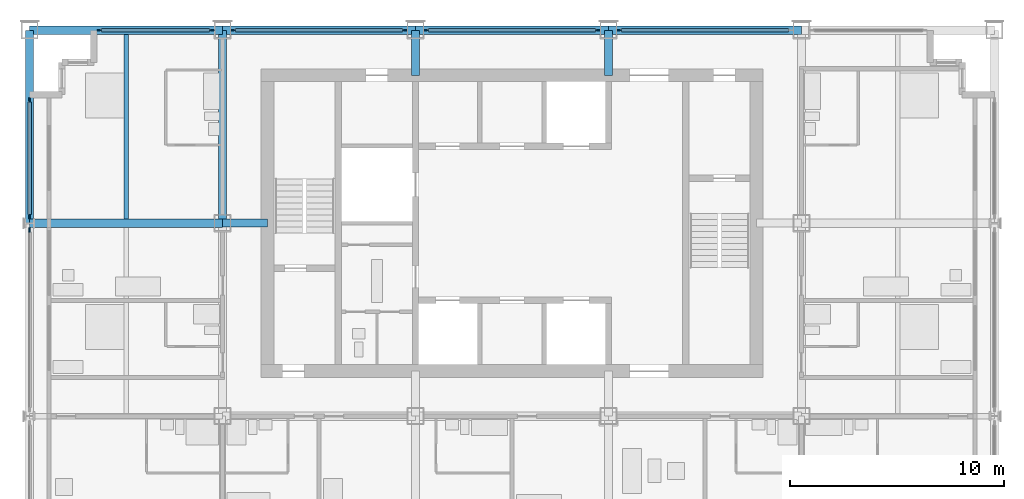
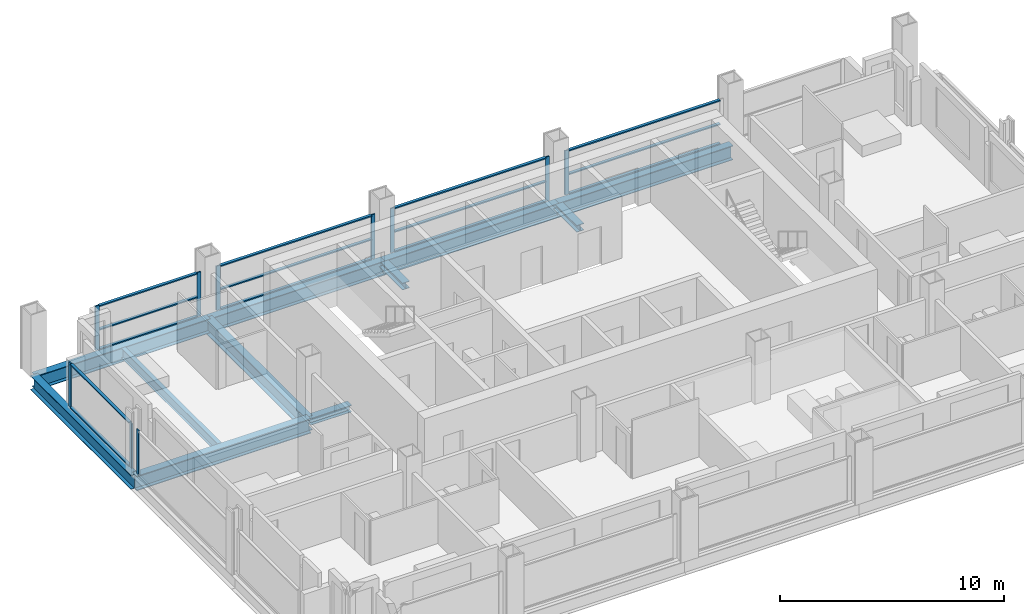
# One storey, part 4 of 13: 27 members, 8 beams, 6 elements without a shape of their own.
"""IFC4 building model written with IfcOpenShell, lengths in metres."""

import ifcopenshell
import ifcopenshell.guid

model = None  # the IFC model being written
_history = None  # IfcOwnerHistory: only IFC2X3 demands one
_inside = {}  # id of a spatial element -> (the spatial element, [elements in it])
_under = {}  # id of a project, library or spatial element -> (it, [spatial elements below it])
_declared = {}  # id of a project -> (the project, [libraries it declares])
_typed = {}  # id of a type object -> (the type object, [elements of that type])
_made_of = {}  # id of a material, layer set ... -> (it, [elements and type objects made of it])


def new_model(schema):
    """Start an empty IFC model of exactly this schema.

    Asked for "IFC4X3", IfcOpenShell would pick the latest addendum, in which some entities
    have other attributes; the version numbers below select the first issue.
    IFC2X3 requires an IfcOwnerHistory on every rooted entity: one is made here for all.
    """
    global model, _history
    if schema == "IFC4X3":
        model = ifcopenshell.file(schema_version=(4, 3, 0, 0))
    else:
        model = ifcopenshell.file(schema=schema)
    _inside.clear()
    _under.clear()
    _declared.clear()
    _typed.clear()
    _made_of.clear()
    _history = None
    if model.schema == "IFC2X3":
        org = make("IfcOrganization", Name="unknown")
        user = make(
            "IfcPersonAndOrganization",
            ThePerson=make("IfcPerson", FamilyName="unknown"),
            TheOrganization=org,
        )
        app = make(
            "IfcApplication",
            ApplicationDeveloper=org,
            Version="unknown",
            ApplicationFullName="unknown",
            ApplicationIdentifier="unknown",
        )
        _history = make(
            "IfcOwnerHistory",
            OwningUser=user,
            OwningApplication=app,
            ChangeAction="ADDED",
            CreationDate=0,
        )
    return model


def make(cls, **values):
    """One entity of the class cls with the attributes given. An attribute that is None is left unset."""
    return model.create_entity(
        cls, **{name: value for name, value in values.items() if value is not None}
    )


def rooted(cls, **values):
    """An entity with a GlobalId (a new one), such as an element, a storey or a relation."""
    return make(cls, GlobalId=ifcopenshell.guid.new(), OwnerHistory=_history, **values)


def si_unit(unit_type, name, prefix=None):
    """IfcSIUnit, for example si_unit("LENGTHUNIT", "METRE", prefix="MILLI")."""
    return make("IfcSIUnit", UnitType=unit_type, Prefix=prefix, Name=name)


def assignment(units):
    """IfcUnitAssignment: the units of a project."""
    return None if units is None else make("IfcUnitAssignment", Units=units)


def point(xyz):
    """IfcCartesianPoint."""
    return None if xyz is None else make("IfcCartesianPoint", Coordinates=xyz)


def direction(xyz):
    """IfcDirection."""
    return None if xyz is None else make("IfcDirection", DirectionRatios=xyz)


def frame(location, z_axis=None, x_axis=None):
    """IfcAxis2Placement3D, a coordinate frame: its origin and axes. An axis left out is left unset."""
    return make(
        "IfcAxis2Placement3D",
        Location=point(location),
        Axis=direction(z_axis),
        RefDirection=direction(x_axis),
    )


def frame_2d(location, x_axis=None):
    """IfcAxis2Placement2D, a coordinate frame in the plane: its origin and x axis."""
    return make(
        "IfcAxis2Placement2D", Location=point(location), RefDirection=direction(x_axis)
    )


def origin():
    """The frame at (0, 0, 0) with its axes left unset."""
    return frame((0.0, 0.0, 0.0))


def origin_2d():
    """The frame at (0, 0) in the plane with its x axis left unset."""
    return frame_2d((0.0, 0.0))


def place(relative_to, where):
    """IfcLocalPlacement: puts the frame where relative to a parent placement (None: the world)."""
    return make(
        "IfcLocalPlacement", PlacementRelTo=relative_to, RelativePlacement=where
    )


def context(
    kind, dimensions, precision=None, world=None, true_north=None, identifier=None
):
    """IfcGeometricRepresentationContext, for example the 3D "Model" context."""
    return make(
        "IfcGeometricRepresentationContext",
        ContextIdentifier=identifier,
        ContextType=kind,
        CoordinateSpaceDimension=dimensions,
        Precision=precision,
        WorldCoordinateSystem=world,
        TrueNorth=true_north,
    )


def subcontext(parent, identifier, kind, view, scale=None):
    """IfcGeometricRepresentationSubContext, for example "Body" below "Model"."""
    return make(
        "IfcGeometricRepresentationSubContext",
        ContextIdentifier=identifier,
        ContextType=kind,
        ParentContext=parent,
        TargetScale=scale,
        TargetView=view,
    )


def project(units=None, contexts=None):
    """IfcProject with its units and contexts."""
    return rooted(
        "IfcProject",
        Name="project",
        RepresentationContexts=contexts,
        UnitsInContext=assignment(units),
    )


def spatial(cls, under=None, at=None, **own):
    """A site, building, storey or space (cls), placed at a placement, below another one or the project."""
    s = rooted(cls, ObjectPlacement=at, **own)
    if under is not None:
        _under.setdefault(under.id(), (under, []))[1].append(s)
    return s


def profile(cls, at=None, kind="AREA", **sizes):
    """A parametric profile (cls). Its sizes go by their IFC names, for example OverallWidth=200.0."""
    return make(cls, ProfileType=kind, Position=at, **sizes)


def rectangle(**sizes):
    """IfcRectangleProfileDef."""
    return profile("IfcRectangleProfileDef", **sizes)


def i_section(**sizes):
    """IfcIShapeProfileDef."""
    return profile("IfcIShapeProfileDef", **sizes)


def extrude(swept, where, along, depth):
    """IfcExtrudedAreaSolid: the profile swept, set in the frame where, extruded along a direction by depth."""
    return make(
        "IfcExtrudedAreaSolid",
        SweptArea=swept,
        Position=where,
        ExtrudedDirection=direction(along),
        Depth=depth,
    )


def shape(context_of_items, identifier, shape_type, items):
    """IfcShapeRepresentation: the items that make up one representation, for example the "Body"."""
    return make(
        "IfcShapeRepresentation",
        ContextOfItems=context_of_items,
        RepresentationIdentifier=identifier,
        RepresentationType=shape_type,
        Items=items,
    )


def material(Name=None, Category=None):
    """IfcMaterial."""
    return make("IfcMaterial", Name=Name, Category=Category)


def material_profile(
    of_material, cross_section, Name=None, Category=None, Priority=None
):
    """IfcMaterialProfile: a cross section and its material."""
    return make(
        "IfcMaterialProfile",
        Name=Name,
        Material=of_material,
        Profile=cross_section,
        Priority=Priority,
        Category=Category,
    )


def profile_set(profiles, Name=None, composite=None):
    """IfcMaterialProfileSet."""
    return make(
        "IfcMaterialProfileSet",
        Name=Name,
        MaterialProfiles=profiles,
        CompositeProfile=composite,
    )


def made_of(thing, what):
    """Note that an element or type object is made of a material, layer set ...; save() writes the relation."""
    if what is not None:
        _made_of.setdefault(what.id(), (what, []))[1].append(thing)
    return thing


def type_object(cls, material=None, **own):
    """A type object (cls), such as IfcWallType, which elements share."""
    return made_of(rooted(cls, **own), material)


def element(
    cls,
    number,
    at=None,
    inside=None,
    cuts=None,
    type_object=None,
    material=None,
    context=None,
    identifier="Body",
    shape_type=None,
    held_by="IfcProductDefinitionShape",
    body=None,
    shapes=None,
    **own,
):
    """One element of the class cls, such as IfcWall. Its Tag is "e" and its number.

    at: its placement. inside: the storey or other place that contains it. cuts: it is an
    opening in that element (IfcRelVoidsElement). A single representation is given by context,
    identifier, shape_type and body (its items); several are given by shapes. held_by: the class
    of the entity that holds the representations. save() writes the other relations.
    """
    e = rooted(cls, Tag="e%d" % number, ObjectPlacement=at, **own)
    if body is not None:
        shapes = [shape(context, identifier, shape_type, body)]
    if shapes is not None:
        e.Representation = make(held_by, Representations=shapes)
    if inside is not None:
        _inside.setdefault(inside.id(), (inside, []))[1].append(e)
    if cuts is not None:
        rooted(
            "IfcRelVoidsElement", RelatingBuildingElement=cuts, RelatedOpeningElement=e
        )
    if type_object is not None:
        _typed.setdefault(type_object.id(), (type_object, []))[1].append(e)
    return made_of(e, material)


def aggregate(whole, parts):
    """IfcRelAggregates: a whole, such as a stair, and the parts it consists of."""
    return rooted("IfcRelAggregates", RelatingObject=whole, RelatedObjects=parts)


def save(model, path):
    """Write the relations noted so far, then the file.

    IfcRelAggregates (storeys below a building ...), IfcRelContainedInSpatialStructure (elements
    in a storey), IfcRelDefinesByType, IfcRelAssociatesMaterial and IfcRelDeclares: one each for
    every whole, place, type object, material and project.
    """
    for whole, parts in _under.values():
        aggregate(whole, parts)
    for where, things in _inside.values():
        rooted(
            "IfcRelContainedInSpatialStructure",
            RelatedElements=things,
            RelatingStructure=where,
        )
    for kind, things in _typed.values():
        rooted("IfcRelDefinesByType", RelatedObjects=things, RelatingType=kind)
    for what, things in _made_of.values():
        rooted("IfcRelAssociatesMaterial", RelatedObjects=things, RelatingMaterial=what)
    for by, libraries in _declared.values():
        rooted("IfcRelDeclares", RelatingContext=by, RelatedDefinitions=libraries)
    model.write(path)


model = new_model("IFC4")

# Units and contexts
model_context = context("Model", 3, precision=1e-05, world=origin(), true_north=direction((0.0, 1.0)))
body_context = subcontext(model_context, "Body", "Model", "MODEL_VIEW")
ifc_project = project(units=[si_unit("LENGTHUNIT", "METRE"), si_unit("AREAUNIT", "SQUARE_METRE"), si_unit("VOLUMEUNIT", "CUBIC_METRE"), si_unit("PLANEANGLEUNIT", "RADIAN"), si_unit("MASSUNIT", "GRAM", prefix="KILO")], contexts=[model_context])

# Site, building, storey
site_placement = place(None, origin())
site = spatial("IfcSite", under=ifc_project, at=site_placement, CompositionType="ELEMENT")
building_placement = place(site_placement, origin())
building = spatial("IfcBuilding", under=site, at=building_placement, Name="Loomwork Tower", CompositionType="ELEMENT")
storey_placement = place(building_placement, frame((0.0, 0.0, 208.0)))
storey = spatial("IfcBuildingStorey", under=building, at=storey_placement, Name="L57", CompositionType="ELEMENT", Elevation=208.0)

# Beams
ifc_material_1 = material(Name="Steel ASTM A992", Category="steel")
ifc_material_profile_1 = material_profile(ifc_material_1, i_section(OverallWidth=0.383544921875, OverallDepth=0.794921875, WebThickness=0.02099609375, FlangeThickness=0.0380859375, at=origin_2d()), Name="W30x235")
ifc_profile_set_1 = profile_set([ifc_material_profile_1], Name="Steel ASTM A992")
beam_type_1 = type_object("IfcBeamType", Name="CORE FLANK GIRDER W30x235", PredefinedType="BEAM", material=ifc_profile_set_1)
for number, where, z_axis, x_axis, name in (
    (1, (0.0, 18.0, -0.597412109375), (1.0, 0.0, 0.0), (0.0, 1.0, 0.0), "Core Flank Girder F/2-F/3 L57"),
    (2, (9.0, 18.0, -0.597412109375), (0.0, 1.0, 0.0), (-1.0, 0.0, 0.0), "Core Flank Girder F/3-G/3 L57"),
):
    element("IfcBeam", number, at=place(storey_placement, frame(where, z_axis=z_axis, x_axis=x_axis)), inside=storey, type_object=beam_type_1, Name=name, PredefinedType="BEAM", context=body_context, shape_type="SweptSolid", body=[
        extrude(i_section(OverallWidth=0.383544921875, OverallDepth=0.794921875, WebThickness=0.02099609375, FlangeThickness=0.0380859375, at=origin_2d()), origin(), (0.0, 0.0, 1.0), 9.0),
    ])

# Members
ifc_material_2 = material(Name="Steel ASTM A992", Category="steel")
ifc_material_profile_2 = material_profile(ifc_material_2, i_section(OverallWidth=0.373291015625, OverallDepth=0.373291015625, WebThickness=0.016357421875, FlangeThickness=0.026123046875, at=origin_2d()), Name="W14x132")
ifc_profile_set_2 = profile_set([ifc_material_profile_2], Name="Steel ASTM A992")
member_type_1 = type_object("IfcMemberType", Name="CORE LINK STRUT W14x132", PredefinedType="STRUT", material=ifc_profile_set_2)
for number, where, z_axis, x_axis, name in (
    (3, (27.0, 27.0, -0.38671875), (0.0, -1.0, 0.0), (1.0, 0.0, 0.0), "Core link strut G/5-27.000,24.900 L57"),
    (4, (18.0, 27.0, -0.38671875), (0.0, -1.0, 0.0), (1.0, 0.0, 0.0), "Core link strut G/4-18.000,24.900 L57"),
    (5, (9.0, 18.0, -0.38671875), (1.0, 0.0, 0.0), (0.0, 1.0, 0.0), "Core link strut F/3-11.100,18.000 L57"),
):
    element("IfcMember", number, at=place(storey_placement, frame(where, z_axis=z_axis, x_axis=x_axis)), inside=storey, type_object=member_type_1, Name=name, PredefinedType="STRUT", context=body_context, shape_type="SweptSolid", body=[
        extrude(i_section(OverallWidth=0.373291015625, OverallDepth=0.373291015625, WebThickness=0.016357421875, FlangeThickness=0.026123046875, at=origin_2d()), origin(), (0.0, 0.0, 1.0), 2.10009765625),
    ])

# Beam
ifc_material_3 = material(Name="Steel ASTM A992", Category="steel")
ifc_material_profile_3 = material_profile(ifc_material_3, i_section(OverallWidth=0.2109375, OverallDepth=0.53857421875, WebThickness=0.011474609375, FlangeThickness=0.018798828125, at=origin_2d()), Name="W21x73")
ifc_profile_set_3 = profile_set([ifc_material_profile_3], Name="Steel ASTM A992")
beam_type_2 = type_object("IfcBeamType", Name="FLOOR JOIST W21x73", PredefinedType="JOIST", material=ifc_profile_set_3)
beam_placement = place(storey_placement, frame((4.5, 18.19091796875, -0.46923828125), z_axis=(0.0, 1.0, 0.0), x_axis=(-1.0, 0.0, 0.0)))
element("IfcBeam", 6, at=beam_placement, inside=storey, type_object=beam_type_2, Name="Floor Joist 4.500,18.000-4.500,27.000 L57", PredefinedType="JOIST", context=body_context, shape_type="SweptSolid", body=[
    extrude(i_section(OverallWidth=0.2109375, OverallDepth=0.53857421875, WebThickness=0.011474609375, FlangeThickness=0.018798828125, at=origin_2d()), origin(), (0.0, 0.0, 1.0), 8.619140625),
])

# Curtain wall, member
ifc_material_4 = material(Name="Aluminium curtain wall frame", Category="aluminium")
curtain_wall_type_1 = type_object("IfcCurtainWallType", Name="Outer skin glazing hotel", PredefinedType="NOTDEFINED", material=ifc_material_4)
curtain_wall_1_placement = place(storey_placement, origin())
curtain_wall_1 = element("IfcCurtainWall", 7, at=curtain_wall_1_placement, inside=storey, type_object=curtain_wall_type_1, Name="Outer skin glazing hotel cw/W-9", PredefinedType="NOTDEFINED")
ifc_material_5 = material(Name="Aluminium curtain wall frame", Category="aluminium")
ifc_material_profile_4 = material_profile(ifc_material_5, rectangle(XDim=0.06494140625, YDim=0.199951171875, at=origin_2d()), Name="AL 65x200")
ifc_profile_set_4 = profile_set([ifc_material_profile_4], Name="Aluminium curtain wall frame")
member_type_2 = type_object("IfcMemberType", Name="Outer skin glazing hotel mullion", PredefinedType="MULLION", material=ifc_profile_set_4)
member_1_placement = place(storey_placement, frame((0.0, 17.6865234375, 0.0), z_axis=(0.0, 0.0, 1.0), x_axis=(1.0, 0.0, 0.0)))
member_1 = element("IfcMember", 8, at=member_1_placement, type_object=member_type_2, Name="CW1 mullion 1", PredefinedType="MULLION", context=body_context, shape_type="SweptSolid", body=[
    extrude(rectangle(XDim=0.06494140625, YDim=0.199951171875, at=origin_2d()), origin(), (0.0, 0.0, 1.0), 2.420166015625),
])
aggregate(curtain_wall_1, [member_1])

# Curtain wall, members
curtain_wall_2_placement = place(storey_placement, origin())
curtain_wall_2 = element("IfcCurtainWall", 9, at=curtain_wall_2_placement, inside=storey, type_object=curtain_wall_type_1, Name="Outer skin glazing hotel cw/W-18", PredefinedType="NOTDEFINED")
member_2_placement = place(storey_placement, frame((0.0, 23.75, 0.0), z_axis=(0.0, 0.0, 1.0), x_axis=(1.0, 0.0, 0.0)))
member_2 = element("IfcMember", 10, at=member_2_placement, type_object=member_type_2, Name="CW1 mullion 1", PredefinedType="MULLION", context=body_context, shape_type="SweptSolid", body=[
    extrude(rectangle(XDim=0.06494140625, YDim=0.199951171875, at=origin_2d()), origin(), (0.0, 0.0, 1.0), 2.420166015625),
])
member_3_placement = place(storey_placement, frame((0.0, 18.3134765625, 0.0), z_axis=(0.0, 0.0, 1.0), x_axis=(1.0, 0.0, 0.0)))
member_3 = element("IfcMember", 11, at=member_3_placement, type_object=member_type_2, Name="CW1 mullion 2", PredefinedType="MULLION", context=body_context, shape_type="SweptSolid", body=[
    extrude(rectangle(XDim=0.06494140625, YDim=0.199951171875, at=origin_2d()), origin(), (0.0, 0.0, 1.0), 2.420166015625),
])
ifc_material_6 = material(Name="Aluminium curtain wall frame", Category="aluminium")
ifc_material_profile_5 = material_profile(ifc_material_6, rectangle(XDim=0.14990234375, YDim=0.06494140625, at=origin_2d()), Name="AL 65x150")
ifc_profile_set_5 = profile_set([ifc_material_profile_5], Name="Aluminium curtain wall frame")
member_type_3 = type_object("IfcMemberType", Name="Outer skin glazing hotel transom", PredefinedType="USERDEFINED", material=ifc_profile_set_5)
member_4_placement = place(storey_placement, frame((0.0, 23.64990234375, 0.032470703125), z_axis=(0.0, -1.0, 0.0), x_axis=(1.0, 0.0, 0.0)))
member_4 = element("IfcMember", 12, at=member_4_placement, type_object=member_type_3, Name="CW1 transom 1.1", ObjectType="TRANSOM", PredefinedType="USERDEFINED", context=body_context, shape_type="SweptSolid", body=[
    extrude(rectangle(XDim=0.14990234375, YDim=0.06494140625, at=origin_2d()), origin(), (0.0, 0.0, 1.0), 5.236572265625),
])
member_5_placement = place(storey_placement, frame((0.0, 23.64990234375, 2.3876953125), z_axis=(0.0, -1.0, 0.0), x_axis=(1.0, 0.0, 0.0)))
member_5 = element("IfcMember", 13, at=member_5_placement, type_object=member_type_3, Name="CW1 transom 1.2", ObjectType="TRANSOM", PredefinedType="USERDEFINED", context=body_context, shape_type="SweptSolid", body=[
    extrude(rectangle(XDim=0.14990234375, YDim=0.06494140625, at=origin_2d()), origin(), (0.0, 0.0, 1.0), 5.236572265625),
])
aggregate(curtain_wall_2, [member_2, member_3, member_4, member_5])

# Beams
ifc_material_7 = material(Name="Steel ASTM A992", Category="steel")
ifc_material_profile_6 = material_profile(ifc_material_7, i_section(OverallWidth=0.381103515625, OverallDepth=0.77978515625, WebThickness=0.01806640625, FlangeThickness=0.0302734375, at=origin_2d()), Name="W30x191")
ifc_profile_set_6 = profile_set([ifc_material_profile_6], Name="Steel ASTM A992")
beam_type_3 = type_object("IfcBeamType", Name="SPANDREL GIRDER W30x191", PredefinedType="SPANDREL", material=ifc_profile_set_6)
for number, where, z_axis, x_axis, name in (
    (14, (0.0, 27.0, -0.58984375), (1.0, 0.0, 0.0), (0.0, 1.0, 0.0), "Spandrel Girder G/2-G/3 L57"),
    (15, (9.0, 27.0, -0.58984375), (1.0, 0.0, 0.0), (0.0, 1.0, 0.0), "Spandrel Girder G/3-G/4 L57"),
    (16, (18.0, 27.0, -0.58984375), (1.0, 0.0, 0.0), (0.0, 1.0, 0.0), "Spandrel Girder G/4-G/5 L57"),
    (17, (27.0, 27.0, -0.58984375), (1.0, 0.0, 0.0), (0.0, 1.0, 0.0), "Spandrel Girder G/5-G/6 L57"),
    (18, (0.0, 18.0, -0.58984375), (0.0, 1.0, 0.0), (-1.0, 0.0, 0.0), "Spandrel Girder F/2-G/2 L57"),
):
    element("IfcBeam", number, at=place(storey_placement, frame(where, z_axis=z_axis, x_axis=x_axis)), inside=storey, type_object=beam_type_3, Name=name, PredefinedType="SPANDREL", context=body_context, shape_type="SweptSolid", body=[
        extrude(i_section(OverallWidth=0.381103515625, OverallDepth=0.77978515625, WebThickness=0.01806640625, FlangeThickness=0.0302734375, at=origin_2d()), origin(), (0.0, 0.0, 1.0), 9.0),
    ])

# Curtain wall, members
ifc_material_8 = material(Name="Aluminium curtain wall frame", Category="aluminium")
curtain_wall_type_2 = type_object("IfcCurtainWallType", Name="Single skin glazing corridor", PredefinedType="NOTDEFINED", material=ifc_material_8)
curtain_wall_3_placement = place(storey_placement, origin())
curtain_wall_3 = element("IfcCurtainWall", 19, at=curtain_wall_3_placement, inside=storey, type_object=curtain_wall_type_2, Name="Single skin glazing corridor cw/N-0", PredefinedType="NOTDEFINED")
ifc_material_9 = material(Name="Aluminium curtain wall frame", Category="aluminium")
ifc_material_profile_7 = material_profile(ifc_material_9, rectangle(XDim=0.06494140625, YDim=0.199951171875, at=origin_2d()), Name="AL 65x200")
ifc_profile_set_7 = profile_set([ifc_material_profile_7], Name="Aluminium curtain wall frame")
member_type_4 = type_object("IfcMemberType", Name="Single skin glazing corridor mullion", PredefinedType="MULLION", material=ifc_profile_set_7)
member_6_placement = place(storey_placement, frame((8.5, 27.0, 0.0), z_axis=(0.0, 0.0, 1.0), x_axis=(0.0, -1.0, 0.0)))
member_6 = element("IfcMember", 20, at=member_6_placement, type_object=member_type_4, Name="CW3 mullion 1", PredefinedType="MULLION", context=body_context, shape_type="SweptSolid", body=[
    extrude(rectangle(XDim=0.06494140625, YDim=0.199951171875, at=origin_2d()), origin(), (0.0, 0.0, 1.0), 2.420166015625),
])
member_7_placement = place(storey_placement, frame((3.25, 27.0, 0.0), z_axis=(0.0, 0.0, 1.0), x_axis=(0.0, -1.0, 0.0)))
member_7 = element("IfcMember", 21, at=member_7_placement, type_object=member_type_4, Name="CW3 mullion 2", PredefinedType="MULLION", context=body_context, shape_type="SweptSolid", body=[
    extrude(rectangle(XDim=0.06494140625, YDim=0.199951171875, at=origin_2d()), origin(), (0.0, 0.0, 1.0), 2.420166015625),
])

curtain_wall_4_placement = place(storey_placement, origin())
curtain_wall_4 = element("IfcCurtainWall", 22, at=curtain_wall_4_placement, inside=storey, type_object=curtain_wall_type_2, Name="Single skin glazing corridor cw/N-9", PredefinedType="NOTDEFINED")
member_8_placement = place(storey_placement, frame((17.5, 27.0, 0.0), z_axis=(0.0, 0.0, 1.0), x_axis=(0.0, -1.0, 0.0)))
member_8 = element("IfcMember", 23, at=member_8_placement, type_object=member_type_4, Name="CW3 mullion 1", PredefinedType="MULLION", context=body_context, shape_type="SweptSolid", body=[
    extrude(rectangle(XDim=0.06494140625, YDim=0.199951171875, at=origin_2d()), origin(), (0.0, 0.0, 1.0), 2.420166015625),
])
member_9_placement = place(storey_placement, frame((9.5, 27.0, 0.0), z_axis=(0.0, 0.0, 1.0), x_axis=(0.0, -1.0, 0.0)))
member_9 = element("IfcMember", 24, at=member_9_placement, type_object=member_type_4, Name="CW3 mullion 2", PredefinedType="MULLION", context=body_context, shape_type="SweptSolid", body=[
    extrude(rectangle(XDim=0.06494140625, YDim=0.199951171875, at=origin_2d()), origin(), (0.0, 0.0, 1.0), 2.420166015625),
])

curtain_wall_5_placement = place(storey_placement, origin())
curtain_wall_5 = element("IfcCurtainWall", 25, at=curtain_wall_5_placement, inside=storey, type_object=curtain_wall_type_2, Name="Single skin glazing corridor cw/N-18", PredefinedType="NOTDEFINED")
member_10_placement = place(storey_placement, frame((26.5, 27.0, 0.0), z_axis=(0.0, 0.0, 1.0), x_axis=(0.0, -1.0, 0.0)))
member_10 = element("IfcMember", 26, at=member_10_placement, type_object=member_type_4, Name="CW3 mullion 1", PredefinedType="MULLION", context=body_context, shape_type="SweptSolid", body=[
    extrude(rectangle(XDim=0.06494140625, YDim=0.199951171875, at=origin_2d()), origin(), (0.0, 0.0, 1.0), 2.420166015625),
])
member_11_placement = place(storey_placement, frame((18.5, 27.0, 0.0), z_axis=(0.0, 0.0, 1.0), x_axis=(0.0, -1.0, 0.0)))
member_11 = element("IfcMember", 27, at=member_11_placement, type_object=member_type_4, Name="CW3 mullion 2", PredefinedType="MULLION", context=body_context, shape_type="SweptSolid", body=[
    extrude(rectangle(XDim=0.06494140625, YDim=0.199951171875, at=origin_2d()), origin(), (0.0, 0.0, 1.0), 2.420166015625),
])

# Curtain wall, member
curtain_wall_6_placement = place(storey_placement, origin())
curtain_wall_6 = element("IfcCurtainWall", 28, at=curtain_wall_6_placement, inside=storey, type_object=curtain_wall_type_2, Name="Single skin glazing corridor cw/N-27", PredefinedType="NOTDEFINED")
member_12_placement = place(storey_placement, frame((27.5, 27.0, 0.0), z_axis=(0.0, 0.0, 1.0), x_axis=(0.0, -1.0, 0.0)))
member_12 = element("IfcMember", 29, at=member_12_placement, type_object=member_type_4, Name="CW3 mullion 2", PredefinedType="MULLION", context=body_context, shape_type="SweptSolid", body=[
    extrude(rectangle(XDim=0.06494140625, YDim=0.199951171875, at=origin_2d()), origin(), (0.0, 0.0, 1.0), 2.420166015625),
])

# Member
ifc_material_10 = material(Name="Aluminium curtain wall frame", Category="aluminium")
ifc_material_profile_8 = material_profile(ifc_material_10, rectangle(XDim=0.14990234375, YDim=0.06494140625, at=origin_2d()), Name="AL 65x150")
ifc_profile_set_8 = profile_set([ifc_material_profile_8], Name="Aluminium curtain wall frame")
member_type_5 = type_object("IfcMemberType", Name="Single skin glazing corridor transom", PredefinedType="USERDEFINED", material=ifc_profile_set_8)
member_13_placement = place(storey_placement, frame((8.39990234375, 27.0, 0.032470703125), z_axis=(-1.0, 0.0, 0.0), x_axis=(0.0, -1.0, 0.0)))
member_13 = element("IfcMember", 30, at=member_13_placement, type_object=member_type_5, Name="CW3 transom 1.1", ObjectType="TRANSOM", PredefinedType="USERDEFINED", context=body_context, shape_type="SweptSolid", body=[
    extrude(rectangle(XDim=0.14990234375, YDim=0.06494140625, at=origin_2d()), origin(), (0.0, 0.0, 1.0), 5.0498046875),
])

member_14_placement = place(storey_placement, frame((8.39990234375, 27.0, 1.10009765625), z_axis=(-1.0, 0.0, 0.0), x_axis=(0.0, -1.0, 0.0)))
member_14 = element("IfcMember", 31, at=member_14_placement, type_object=member_type_5, Name="CW3 transom 1.2", ObjectType="TRANSOM", PredefinedType="USERDEFINED", context=body_context, shape_type="SweptSolid", body=[
    extrude(rectangle(XDim=0.14990234375, YDim=0.06494140625, at=origin_2d()), origin(), (0.0, 0.0, 1.0), 5.0498046875),
])

member_15_placement = place(storey_placement, frame((8.39990234375, 27.0, 2.3876953125), z_axis=(-1.0, 0.0, 0.0), x_axis=(0.0, -1.0, 0.0)))
member_15 = element("IfcMember", 32, at=member_15_placement, type_object=member_type_5, Name="CW3 transom 1.3", ObjectType="TRANSOM", PredefinedType="USERDEFINED", context=body_context, shape_type="SweptSolid", body=[
    extrude(rectangle(XDim=0.14990234375, YDim=0.06494140625, at=origin_2d()), origin(), (0.0, 0.0, 1.0), 5.0498046875),
])

aggregate(curtain_wall_3, [member_6, member_7, member_13, member_14, member_15])

member_16_placement = place(storey_placement, frame((17.39990234375, 27.0, 0.032470703125), z_axis=(-1.0, 0.0, 0.0), x_axis=(0.0, -1.0, 0.0)))
member_16 = element("IfcMember", 33, at=member_16_placement, type_object=member_type_5, Name="CW3 transom 1.1", ObjectType="TRANSOM", PredefinedType="USERDEFINED", context=body_context, shape_type="SweptSolid", body=[
    extrude(rectangle(XDim=0.14990234375, YDim=0.06494140625, at=origin_2d()), origin(), (0.0, 0.0, 1.0), 7.7998046875),
])

member_17_placement = place(storey_placement, frame((17.39990234375, 27.0, 1.10009765625), z_axis=(-1.0, 0.0, 0.0), x_axis=(0.0, -1.0, 0.0)))
member_17 = element("IfcMember", 34, at=member_17_placement, type_object=member_type_5, Name="CW3 transom 1.2", ObjectType="TRANSOM", PredefinedType="USERDEFINED", context=body_context, shape_type="SweptSolid", body=[
    extrude(rectangle(XDim=0.14990234375, YDim=0.06494140625, at=origin_2d()), origin(), (0.0, 0.0, 1.0), 7.7998046875),
])

member_18_placement = place(storey_placement, frame((17.39990234375, 27.0, 2.3876953125), z_axis=(-1.0, 0.0, 0.0), x_axis=(0.0, -1.0, 0.0)))
member_18 = element("IfcMember", 35, at=member_18_placement, type_object=member_type_5, Name="CW3 transom 1.3", ObjectType="TRANSOM", PredefinedType="USERDEFINED", context=body_context, shape_type="SweptSolid", body=[
    extrude(rectangle(XDim=0.14990234375, YDim=0.06494140625, at=origin_2d()), origin(), (0.0, 0.0, 1.0), 7.7998046875),
])

aggregate(curtain_wall_4, [member_8, member_9, member_16, member_17, member_18])

member_19_placement = place(storey_placement, frame((26.39990234375, 27.0, 0.032470703125), z_axis=(-1.0, 0.0, 0.0), x_axis=(0.0, -1.0, 0.0)))
member_19 = element("IfcMember", 36, at=member_19_placement, type_object=member_type_5, Name="CW3 transom 1.1", ObjectType="TRANSOM", PredefinedType="USERDEFINED", context=body_context, shape_type="SweptSolid", body=[
    extrude(rectangle(XDim=0.14990234375, YDim=0.06494140625, at=origin_2d()), origin(), (0.0, 0.0, 1.0), 7.7998046875),
])

member_20_placement = place(storey_placement, frame((26.39990234375, 27.0, 1.10009765625), z_axis=(-1.0, 0.0, 0.0), x_axis=(0.0, -1.0, 0.0)))
member_20 = element("IfcMember", 37, at=member_20_placement, type_object=member_type_5, Name="CW3 transom 1.2", ObjectType="TRANSOM", PredefinedType="USERDEFINED", context=body_context, shape_type="SweptSolid", body=[
    extrude(rectangle(XDim=0.14990234375, YDim=0.06494140625, at=origin_2d()), origin(), (0.0, 0.0, 1.0), 7.7998046875),
])

member_21_placement = place(storey_placement, frame((26.39990234375, 27.0, 2.3876953125), z_axis=(-1.0, 0.0, 0.0), x_axis=(0.0, -1.0, 0.0)))
member_21 = element("IfcMember", 38, at=member_21_placement, type_object=member_type_5, Name="CW3 transom 1.3", ObjectType="TRANSOM", PredefinedType="USERDEFINED", context=body_context, shape_type="SweptSolid", body=[
    extrude(rectangle(XDim=0.14990234375, YDim=0.06494140625, at=origin_2d()), origin(), (0.0, 0.0, 1.0), 7.7998046875),
])

aggregate(curtain_wall_5, [member_10, member_11, member_19, member_20, member_21])

member_22_placement = place(storey_placement, frame((35.39990234375, 27.0, 0.032470703125), z_axis=(-1.0, 0.0, 0.0), x_axis=(0.0, -1.0, 0.0)))
member_22 = element("IfcMember", 39, at=member_22_placement, type_object=member_type_5, Name="CW3 transom 1.1", ObjectType="TRANSOM", PredefinedType="USERDEFINED", context=body_context, shape_type="SweptSolid", body=[
    extrude(rectangle(XDim=0.14990234375, YDim=0.06494140625, at=origin_2d()), origin(), (0.0, 0.0, 1.0), 7.7998046875),
])

member_23_placement = place(storey_placement, frame((35.39990234375, 27.0, 1.10009765625), z_axis=(-1.0, 0.0, 0.0), x_axis=(0.0, -1.0, 0.0)))
member_23 = element("IfcMember", 40, at=member_23_placement, type_object=member_type_5, Name="CW3 transom 1.2", ObjectType="TRANSOM", PredefinedType="USERDEFINED", context=body_context, shape_type="SweptSolid", body=[
    extrude(rectangle(XDim=0.14990234375, YDim=0.06494140625, at=origin_2d()), origin(), (0.0, 0.0, 1.0), 7.7998046875),
])

member_24_placement = place(storey_placement, frame((35.39990234375, 27.0, 2.3876953125), z_axis=(-1.0, 0.0, 0.0), x_axis=(0.0, -1.0, 0.0)))
member_24 = element("IfcMember", 41, at=member_24_placement, type_object=member_type_5, Name="CW3 transom 1.3", ObjectType="TRANSOM", PredefinedType="USERDEFINED", context=body_context, shape_type="SweptSolid", body=[
    extrude(rectangle(XDim=0.14990234375, YDim=0.06494140625, at=origin_2d()), origin(), (0.0, 0.0, 1.0), 7.7998046875),
])

aggregate(curtain_wall_6, [member_12, member_22, member_23, member_24])

save(model, "model.ifc")
